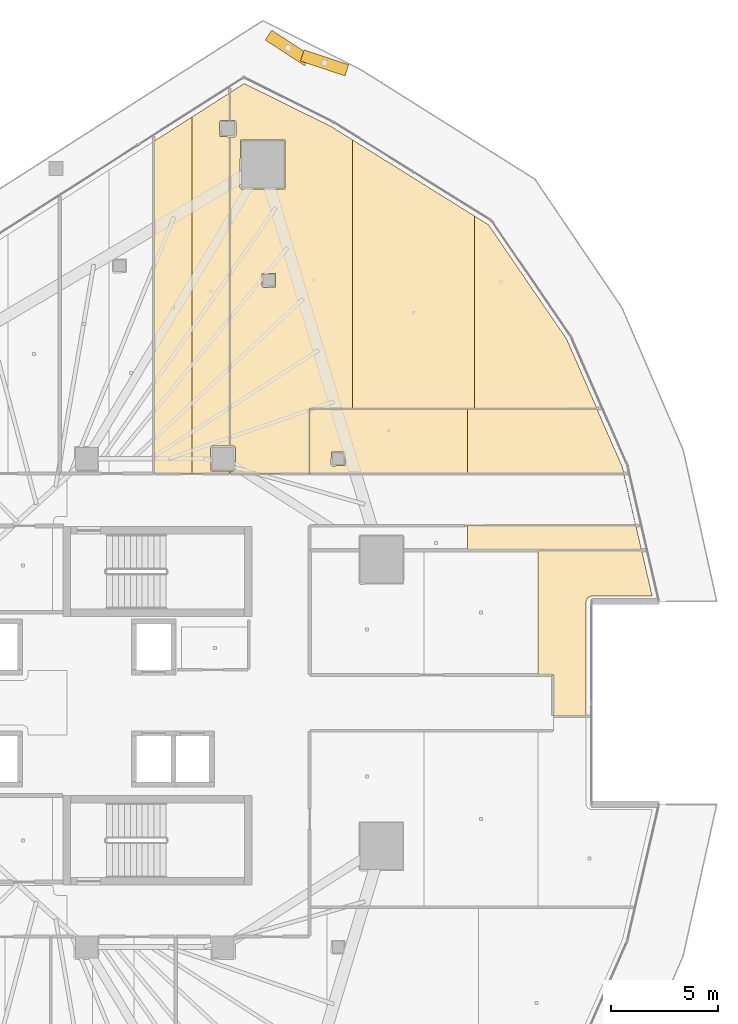
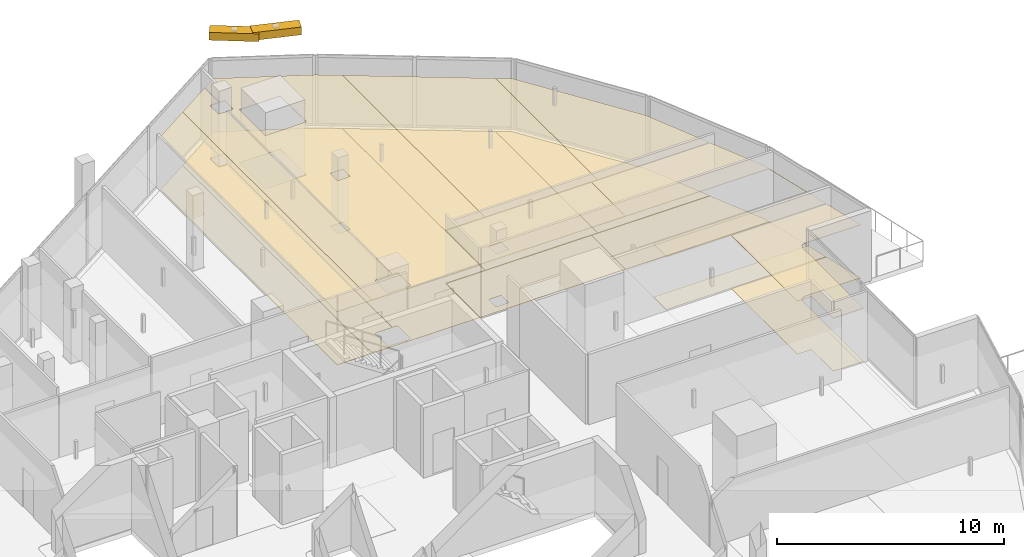
# One storey, part 39 of 39: 16 coverings, 2 shading devices.
"""IFC4 building model written with IfcOpenShell, lengths in metres."""

from ifc_helpers import new_model, si_unit, direction, frame, origin, origin_2d, place, context, subcontext, project, spatial, polyline, rectangle, outline, extrude, material, layer, layer_set, type_object, element, save


model = new_model("IFC4")

# Units and contexts
model_context = context("Model", 3, precision=1e-05, world=origin(), true_north=direction((0.0, 1.0)))
body_context = subcontext(model_context, "Body", "Model", "MODEL_VIEW")
ifc_project = project(units=[si_unit("LENGTHUNIT", "METRE"), si_unit("AREAUNIT", "SQUARE_METRE"), si_unit("VOLUMEUNIT", "CUBIC_METRE"), si_unit("PLANEANGLEUNIT", "RADIAN"), si_unit("MASSUNIT", "GRAM", prefix="KILO")], contexts=[model_context])

# Site, building, storey
site_placement = place(None, origin())
site = spatial("IfcSite", under=ifc_project, at=site_placement, CompositionType="ELEMENT")
building_placement = place(site_placement, origin())
building = spatial("IfcBuilding", under=site, at=building_placement, Name="Qorvath Tower", CompositionType="ELEMENT")
storey_placement = place(building_placement, frame((0.0, 0.0, 162.449951171875)))
storey = spatial("IfcBuildingStorey", under=building, at=storey_placement, Name="L37", CompositionType="ELEMENT", Elevation=162.449951171875)

# Coverings
ifc_material_1 = material(Name="Acoustic mineral fibre ceiling tile", Category="gypsum")
ifc_layer_1 = layer(ifc_material_1, 0.030029296875)
ifc_layer_set_1 = layer_set([ifc_layer_1], Name="COV-CEIL")
covering_type_1 = type_object("IfcCoveringType", Name="COV-CEIL", PredefinedType="CEILING", material=ifc_layer_set_1)
covering_1_placement = place(storey_placement, frame((0.0, 0.0, 2.85009765625)))
element("IfcCovering", 1, at=covering_1_placement, inside=storey, type_object=covering_type_1, Name="L37 Suspended Acoustic Ceiling 017", PredefinedType="CEILING", context=body_context, shape_type="SweptSolid", body=[
    extrude(outline(polyline([(-18.657958984375, 10.762939453125), (-18.657958984375, 27.47509765625), (-20.437744140625, 26.33740234375), (-20.437744140625, 10.762939453125), (-18.657958984375, 10.762939453125)])), origin(), (0.0, 0.0, 1.0), 0.030029296875),
])
covering_2_placement = place(storey_placement, frame((0.0, 0.0, 2.85009765625)))
element("IfcCovering", 2, at=covering_2_placement, inside=storey, type_object=covering_type_1, Name="L37 Suspended Acoustic Ceiling 018", PredefinedType="CEILING", context=body_context, shape_type="SweptSolid", body=[
    extrude(outline(polyline([(-17.72509765625, 12.034912109375), (-16.89404296875, 12.034912109375), (-16.89404296875, 26.544189453125), (-17.3486328125, 26.561767578125), (-17.3662109375, 27.254150390625), (-17.30615234375, 27.314208984375), (-16.89404296875, 27.314208984375), (-16.89404296875, 28.602294921875), (-18.657958984375, 27.47509765625), (-18.657958984375, 10.762939453125), (-16.89404296875, 10.762939453125), (-16.89404296875, 10.864990234375), (-17.767333984375, 10.882568359375), (-17.784912109375, 11.97509765625), (-17.72509765625, 12.034912109375)])), origin(), (0.0, 0.0, 1.0), 0.030029296875),
])
covering_3_placement = place(storey_placement, frame((0.0, 0.0, 2.85009765625)))
element("IfcCovering", 3, at=covering_3_placement, inside=storey, type_object=covering_type_1, Name="L37 Suspended Acoustic Ceiling 019", PredefinedType="CEILING", context=body_context, shape_type="SweptSolid", body=[
    extrude(outline(polyline([(-13.153564453125, 13.79345703125), (-11.139404296875, 13.795654296875), (-11.139404296875, 26.40576171875), (-12.14697265625, 27.03466796875), (-16.206298828125, 29.0419921875), (-16.876220703125, 28.61376953125), (-16.876220703125, 27.314208984375), (-16.65625, 27.314208984375), (-16.59619140625, 27.254150390625), (-16.59619140625, 26.604248046875), (-16.65625, 26.544189453125), (-16.876220703125, 26.544189453125), (-16.876220703125, 12.034912109375), (-16.675048828125, 12.034912109375), (-16.614990234375, 11.97509765625), (-16.614990234375, 10.925048828125), (-16.675048828125, 10.864990234375), (-16.876220703125, 10.864990234375), (-16.876220703125, 10.762939453125), (-13.155029296875, 10.762939453125), (-13.153564453125, 13.79345703125)]), holes=[polyline([(-16.404296875, 24.14599609375), (-16.38671875, 26.388427734375), (-14.3017578125, 26.388427734375), (-14.3017578125, 24.103759765625), (-16.34423828125, 24.086181640625), (-16.404296875, 24.14599609375)]), polyline([(-15.381103515625, 19.543212890625), (-15.363525390625, 20.135498046875), (-14.728759765625, 20.135498046875), (-14.728759765625, 19.500732421875), (-15.321044921875, 19.483154296875), (-15.381103515625, 19.543212890625)])]), origin(), (0.0, 0.0, 1.0), 0.030029296875),
])
covering_4_placement = place(storey_placement, frame((0.0, 0.0, 2.85009765625)))
element("IfcCovering", 4, at=covering_4_placement, inside=storey, type_object=covering_type_1, Name="L37 Suspended Acoustic Ceiling 020", PredefinedType="CEILING", context=body_context, shape_type="SweptSolid", body=[
    extrude(outline(polyline([(-11.139404296875, 26.40576171875), (-11.139404296875, 13.795654296875), (-5.40234375, 13.801513671875), (-5.40234375, 22.826171875), (-11.139404296875, 26.40576171875)])), origin(), (0.0, 0.0, 1.0), 0.030029296875),
])
covering_5_placement = place(storey_placement, frame((0.0, 0.0, 2.85009765625)))
element("IfcCovering", 5, at=covering_5_placement, inside=storey, type_object=covering_type_1, Name="L37 Suspended Acoustic Ceiling 021", PredefinedType="CEILING", context=body_context, shape_type="SweptSolid", body=[
    extrude(outline(polyline([(-5.40234375, 22.826171875), (-5.40234375, 13.801513671875), (0.33447265625, 13.8076171875), (-1.084716796875, 17.054931640625), (-4.75439453125, 22.421875), (-5.40234375, 22.826171875)])), origin(), (0.0, 0.0, 1.0), 0.030029296875),
])
covering_6_placement = place(storey_placement, frame((0.0, 0.0, 2.85009765625)))
element("IfcCovering", 6, at=covering_6_placement, inside=storey, type_object=covering_type_1, Name="L37 Suspended Acoustic Ceiling 037", PredefinedType="CEILING", context=body_context, shape_type="SweptSolid", body=[
    extrude(outline(polyline([(-0.1005859375, 4.933349609375), (0.077880859375, 5.007080078125), (2.925048828125, 5.007080078125), (2.427001953125, 7.156494140625), (-2.428955078125, 7.156494140625), (-2.428955078125, 1.31298828125), (-1.714111328125, 1.31298828125), (-1.708984375, -0.61181640625), (-0.177001953125, -0.61181640625), (-0.177001953125, 4.751953125), (-0.1005859375, 4.933349609375)])), origin(), (0.0, 0.0, 1.0), 0.030029296875),
])
covering_7_placement = place(storey_placement, frame((0.0, 0.0, 2.85009765625)))
element("IfcCovering", 7, at=covering_7_placement, inside=storey, type_object=covering_type_1, Name="L37 Suspended Acoustic Ceiling 038", PredefinedType="CEILING", context=body_context, shape_type="SweptSolid", body=[
    extrude(outline(polyline([(-5.72900390625, 10.762939453125), (-5.72900390625, 13.783935546875), (-13.136962890625, 13.777099609375), (-13.136962890625, 10.762939453125), (-5.72900390625, 10.762939453125)]), holes=[polyline([(-12.135009765625, 11.175048828125), (-12.117431640625, 11.767333984375), (-11.482666015625, 11.767333984375), (-11.482666015625, 11.132568359375), (-12.074951171875, 11.114990234375), (-12.135009765625, 11.175048828125)])]), origin(), (0.0, 0.0, 1.0), 0.030029296875),
])
covering_8_placement = place(storey_placement, frame((0.0, 0.0, 2.85009765625)))
element("IfcCovering", 8, at=covering_8_placement, inside=storey, type_object=covering_type_1, Name="L37 Suspended Acoustic Ceiling 040", PredefinedType="CEILING", context=body_context, shape_type="SweptSolid", body=[
    extrude(outline(polyline([(-5.72900390625, 8.31005859375), (-5.72900390625, 7.174560546875), (2.4228515625, 7.174560546875), (1.519775390625, 11.072265625), (0.326904296875, 13.78955078125), (-5.72900390625, 13.783935546875), (-5.72900390625, 10.762939453125), (1.5751953125, 10.762939453125), (2.146728515625, 8.313232421875), (-5.72900390625, 8.31005859375)])), origin(), (0.0, 0.0, 1.0), 0.030029296875),
])
ifc_material_2 = material(Name="Low-VOC modular carpet tile", Category="textile")
ifc_layer_2 = layer(ifc_material_2, 0.014892578125)
ifc_layer_set_2 = layer_set([ifc_layer_2], Name="COV-FLOOR-CPT")
covering_type_2 = type_object("IfcCoveringType", Name="COV-FLOOR-CPT", PredefinedType="FLOORING", material=ifc_layer_set_2)
covering_9_placement = place(storey_placement, origin())
element("IfcCovering", 9, at=covering_9_placement, inside=storey, type_object=covering_type_2, Name="L37 Floor Finish 017", PredefinedType="FLOORING", context=body_context, shape_type="SweptSolid", body=[
    extrude(outline(polyline([(-18.657958984375, 10.762939453125), (-18.657958984375, 27.47509765625), (-20.437744140625, 26.33740234375), (-20.437744140625, 10.762939453125), (-18.657958984375, 10.762939453125)])), origin(), (0.0, 0.0, 1.0), 0.01513671875),
])
covering_10_placement = place(storey_placement, origin())
element("IfcCovering", 10, at=covering_10_placement, inside=storey, type_object=covering_type_2, Name="L37 Floor Finish 018", PredefinedType="FLOORING", context=body_context, shape_type="SweptSolid", body=[
    extrude(outline(polyline([(-17.72509765625, 12.034912109375), (-16.89404296875, 12.034912109375), (-16.89404296875, 26.544189453125), (-17.3486328125, 26.561767578125), (-17.3662109375, 27.254150390625), (-17.30615234375, 27.314208984375), (-16.89404296875, 27.314208984375), (-16.89404296875, 28.602294921875), (-18.657958984375, 27.47509765625), (-18.657958984375, 10.762939453125), (-16.89404296875, 10.762939453125), (-16.89404296875, 10.864990234375), (-17.767333984375, 10.882568359375), (-17.784912109375, 11.97509765625), (-17.72509765625, 12.034912109375)])), origin(), (0.0, 0.0, 1.0), 0.01513671875),
])
covering_11_placement = place(storey_placement, origin())
element("IfcCovering", 11, at=covering_11_placement, inside=storey, type_object=covering_type_2, Name="L37 Floor Finish 019", PredefinedType="FLOORING", context=body_context, shape_type="SweptSolid", body=[
    extrude(outline(polyline([(-13.153564453125, 13.79345703125), (-11.139404296875, 13.795654296875), (-11.139404296875, 26.40576171875), (-12.14697265625, 27.03466796875), (-16.206298828125, 29.0419921875), (-16.876220703125, 28.61376953125), (-16.876220703125, 27.314208984375), (-16.65625, 27.314208984375), (-16.59619140625, 27.254150390625), (-16.59619140625, 26.604248046875), (-16.65625, 26.544189453125), (-16.876220703125, 26.544189453125), (-16.876220703125, 12.034912109375), (-16.675048828125, 12.034912109375), (-16.614990234375, 11.97509765625), (-16.614990234375, 10.925048828125), (-16.675048828125, 10.864990234375), (-16.876220703125, 10.864990234375), (-16.876220703125, 10.762939453125), (-13.155029296875, 10.762939453125), (-13.153564453125, 13.79345703125)]), holes=[polyline([(-16.404296875, 24.14599609375), (-16.38671875, 26.388427734375), (-14.3017578125, 26.388427734375), (-14.3017578125, 24.103759765625), (-16.34423828125, 24.086181640625), (-16.404296875, 24.14599609375)]), polyline([(-15.381103515625, 19.543212890625), (-15.363525390625, 20.135498046875), (-14.728759765625, 20.135498046875), (-14.728759765625, 19.500732421875), (-15.321044921875, 19.483154296875), (-15.381103515625, 19.543212890625)])]), origin(), (0.0, 0.0, 1.0), 0.01513671875),
])
covering_12_placement = place(storey_placement, origin())
element("IfcCovering", 12, at=covering_12_placement, inside=storey, type_object=covering_type_2, Name="L37 Floor Finish 020", PredefinedType="FLOORING", context=body_context, shape_type="SweptSolid", body=[
    extrude(outline(polyline([(-11.139404296875, 26.40576171875), (-11.139404296875, 13.795654296875), (-5.40234375, 13.801513671875), (-5.40234375, 22.826171875), (-11.139404296875, 26.40576171875)])), origin(), (0.0, 0.0, 1.0), 0.01513671875),
])
covering_13_placement = place(storey_placement, origin())
element("IfcCovering", 13, at=covering_13_placement, inside=storey, type_object=covering_type_2, Name="L37 Floor Finish 021", PredefinedType="FLOORING", context=body_context, shape_type="SweptSolid", body=[
    extrude(outline(polyline([(-5.40234375, 22.826171875), (-5.40234375, 13.801513671875), (0.33447265625, 13.8076171875), (-1.084716796875, 17.054931640625), (-4.75439453125, 22.421875), (-5.40234375, 22.826171875)])), origin(), (0.0, 0.0, 1.0), 0.01513671875),
])
covering_14_placement = place(storey_placement, origin())
element("IfcCovering", 14, at=covering_14_placement, inside=storey, type_object=covering_type_2, Name="L37 Floor Finish 037", PredefinedType="FLOORING", context=body_context, shape_type="SweptSolid", body=[
    extrude(outline(polyline([(-0.1005859375, 4.933349609375), (0.077880859375, 5.007080078125), (2.925048828125, 5.007080078125), (2.427001953125, 7.156494140625), (-2.428955078125, 7.156494140625), (-2.428955078125, 1.31298828125), (-1.714111328125, 1.31298828125), (-1.708984375, -0.61181640625), (-0.177001953125, -0.61181640625), (-0.177001953125, 4.751953125), (-0.1005859375, 4.933349609375)])), origin(), (0.0, 0.0, 1.0), 0.01513671875),
])
covering_15_placement = place(storey_placement, origin())
element("IfcCovering", 15, at=covering_15_placement, inside=storey, type_object=covering_type_2, Name="L37 Floor Finish 038", PredefinedType="FLOORING", context=body_context, shape_type="SweptSolid", body=[
    extrude(outline(polyline([(-5.72900390625, 10.762939453125), (-5.72900390625, 13.783935546875), (-13.136962890625, 13.777099609375), (-13.136962890625, 10.762939453125), (-5.72900390625, 10.762939453125)]), holes=[polyline([(-12.135009765625, 11.175048828125), (-12.117431640625, 11.767333984375), (-11.482666015625, 11.767333984375), (-11.482666015625, 11.132568359375), (-12.074951171875, 11.114990234375), (-12.135009765625, 11.175048828125)])]), origin(), (0.0, 0.0, 1.0), 0.01513671875),
])
covering_16_placement = place(storey_placement, origin())
element("IfcCovering", 16, at=covering_16_placement, inside=storey, type_object=covering_type_2, Name="L37 Floor Finish 040", PredefinedType="FLOORING", context=body_context, shape_type="SweptSolid", body=[
    extrude(outline(polyline([(-5.72900390625, 8.31005859375), (-5.72900390625, 7.174560546875), (2.4228515625, 7.174560546875), (1.519775390625, 11.072265625), (0.326904296875, 13.78955078125), (-5.72900390625, 13.783935546875), (-5.72900390625, 10.762939453125), (1.5751953125, 10.762939453125), (2.146728515625, 8.313232421875), (-5.72900390625, 8.31005859375)])), origin(), (0.0, 0.0, 1.0), 0.01513671875),
])

# Shading devices
ifc_material_3 = material(Name="Anodised bronze-champagne aluminium", Category="aluminium")
shading_device_type = type_object("IfcShadingDeviceType", Name="SD-LOUVRE", PredefinedType="JALOUSIE", material=ifc_material_3)
for number, where, z_axis, x_axis, name in (
    (17, (-12.441650390625, 30.01220703125, 3.360107421875), (0.0, 0.0, 1.0), (-0.949413420497, 0.314028911057, 0.0), "Sinusoidal Wave Louvre Blade L37-05"),
    (18, (-14.147705078125, 30.71484375, 3.360107421875), (0.0, 0.0, 1.0), (-0.8379569188, 0.545736385296, 0.0), "Sinusoidal Wave Louvre Blade L37-06"),
):
    element("IfcShadingDevice", number, at=place(storey_placement, frame(where, z_axis=z_axis, x_axis=x_axis)), inside=storey, type_object=shading_device_type, Name=name, PredefinedType="NOTDEFINED", context=body_context, shape_type="SweptSolid", body=[
        extrude(rectangle(XDim=2.199951171875, YDim=0.550048828125, at=origin_2d()), origin(), (0.0, 0.0, 1.0), 0.419921875),
    ])

save(model, "model.ifc")
